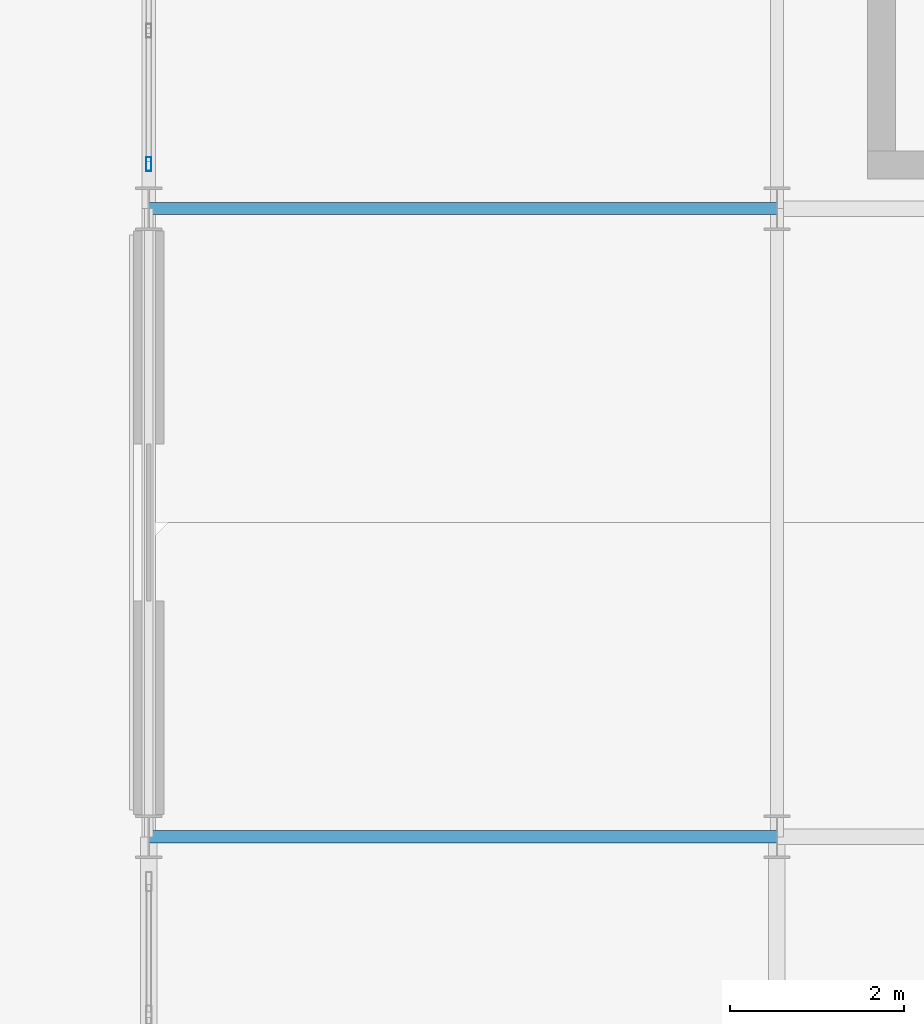
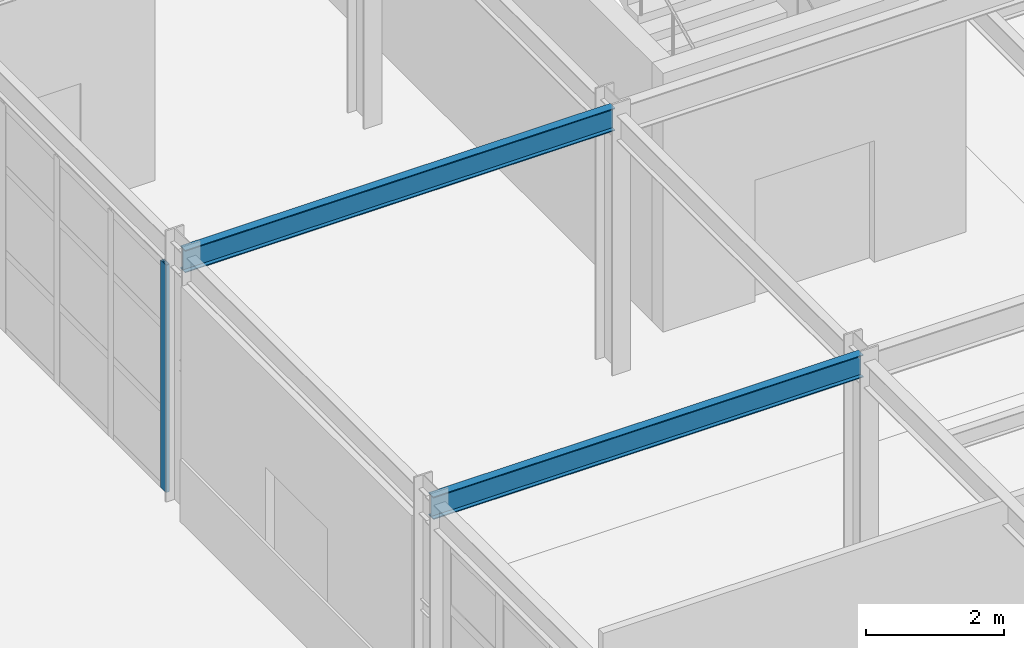
# One storey, part 31 of 83: 2 beams, 1 member, 1 element without a shape of its own.
"""IFC4 building model written with IfcOpenShell, lengths in metres."""

import ifcopenshell
import ifcopenshell.guid

model = None  # the IFC model being written
_history = None  # IfcOwnerHistory: only IFC2X3 demands one
_inside = {}  # id of a spatial element -> (the spatial element, [elements in it])
_under = {}  # id of a project, library or spatial element -> (it, [spatial elements below it])
_declared = {}  # id of a project -> (the project, [libraries it declares])
_typed = {}  # id of a type object -> (the type object, [elements of that type])
_made_of = {}  # id of a material, layer set ... -> (it, [elements and type objects made of it])


def new_model(schema):
    """Start an empty IFC model of exactly this schema.

    Asked for "IFC4X3", IfcOpenShell would pick the latest addendum, in which some entities
    have other attributes; the version numbers below select the first issue.
    IFC2X3 requires an IfcOwnerHistory on every rooted entity: one is made here for all.
    """
    global model, _history
    if schema == "IFC4X3":
        model = ifcopenshell.file(schema_version=(4, 3, 0, 0))
    else:
        model = ifcopenshell.file(schema=schema)
    _inside.clear()
    _under.clear()
    _declared.clear()
    _typed.clear()
    _made_of.clear()
    _history = None
    if model.schema == "IFC2X3":
        org = make("IfcOrganization", Name="unknown")
        user = make(
            "IfcPersonAndOrganization",
            ThePerson=make("IfcPerson", FamilyName="unknown"),
            TheOrganization=org,
        )
        app = make(
            "IfcApplication",
            ApplicationDeveloper=org,
            Version="unknown",
            ApplicationFullName="unknown",
            ApplicationIdentifier="unknown",
        )
        _history = make(
            "IfcOwnerHistory",
            OwningUser=user,
            OwningApplication=app,
            ChangeAction="ADDED",
            CreationDate=0,
        )
    return model


def make(cls, **values):
    """One entity of the class cls with the attributes given. An attribute that is None is left unset."""
    return model.create_entity(
        cls, **{name: value for name, value in values.items() if value is not None}
    )


def rooted(cls, **values):
    """An entity with a GlobalId (a new one), such as an element, a storey or a relation."""
    return make(cls, GlobalId=ifcopenshell.guid.new(), OwnerHistory=_history, **values)


def si_unit(unit_type, name, prefix=None):
    """IfcSIUnit, for example si_unit("LENGTHUNIT", "METRE", prefix="MILLI")."""
    return make("IfcSIUnit", UnitType=unit_type, Prefix=prefix, Name=name)


def assignment(units):
    """IfcUnitAssignment: the units of a project."""
    return None if units is None else make("IfcUnitAssignment", Units=units)


def point(xyz):
    """IfcCartesianPoint."""
    return None if xyz is None else make("IfcCartesianPoint", Coordinates=xyz)


def direction(xyz):
    """IfcDirection."""
    return None if xyz is None else make("IfcDirection", DirectionRatios=xyz)


def frame(location, z_axis=None, x_axis=None):
    """IfcAxis2Placement3D, a coordinate frame: its origin and axes. An axis left out is left unset."""
    return make(
        "IfcAxis2Placement3D",
        Location=point(location),
        Axis=direction(z_axis),
        RefDirection=direction(x_axis),
    )


def frame_2d(location, x_axis=None):
    """IfcAxis2Placement2D, a coordinate frame in the plane: its origin and x axis."""
    return make(
        "IfcAxis2Placement2D", Location=point(location), RefDirection=direction(x_axis)
    )


def origin():
    """The frame at (0, 0, 0) with its axes left unset."""
    return frame((0.0, 0.0, 0.0))


def origin_2d():
    """The frame at (0, 0) in the plane with its x axis left unset."""
    return frame_2d((0.0, 0.0))


def place(relative_to, where):
    """IfcLocalPlacement: puts the frame where relative to a parent placement (None: the world)."""
    return make(
        "IfcLocalPlacement", PlacementRelTo=relative_to, RelativePlacement=where
    )


def context(
    kind, dimensions, precision=None, world=None, true_north=None, identifier=None
):
    """IfcGeometricRepresentationContext, for example the 3D "Model" context."""
    return make(
        "IfcGeometricRepresentationContext",
        ContextIdentifier=identifier,
        ContextType=kind,
        CoordinateSpaceDimension=dimensions,
        Precision=precision,
        WorldCoordinateSystem=world,
        TrueNorth=true_north,
    )


def subcontext(parent, identifier, kind, view, scale=None):
    """IfcGeometricRepresentationSubContext, for example "Body" below "Model"."""
    return make(
        "IfcGeometricRepresentationSubContext",
        ContextIdentifier=identifier,
        ContextType=kind,
        ParentContext=parent,
        TargetScale=scale,
        TargetView=view,
    )


def project(units=None, contexts=None):
    """IfcProject with its units and contexts."""
    return rooted(
        "IfcProject",
        Name="project",
        RepresentationContexts=contexts,
        UnitsInContext=assignment(units),
    )


def spatial(cls, under=None, at=None, **own):
    """A site, building, storey or space (cls), placed at a placement, below another one or the project."""
    s = rooted(cls, ObjectPlacement=at, **own)
    if under is not None:
        _under.setdefault(under.id(), (under, []))[1].append(s)
    return s


def profile(cls, at=None, kind="AREA", **sizes):
    """A parametric profile (cls). Its sizes go by their IFC names, for example OverallWidth=200.0."""
    return make(cls, ProfileType=kind, Position=at, **sizes)


def hollow_rectangle(**sizes):
    """IfcRectangleHollowProfileDef."""
    return profile("IfcRectangleHollowProfileDef", **sizes)


def i_section(**sizes):
    """IfcIShapeProfileDef."""
    return profile("IfcIShapeProfileDef", **sizes)


def extrude(swept, where, along, depth):
    """IfcExtrudedAreaSolid: the profile swept, set in the frame where, extruded along a direction by depth."""
    return make(
        "IfcExtrudedAreaSolid",
        SweptArea=swept,
        Position=where,
        ExtrudedDirection=direction(along),
        Depth=depth,
    )


def shape(context_of_items, identifier, shape_type, items):
    """IfcShapeRepresentation: the items that make up one representation, for example the "Body"."""
    return make(
        "IfcShapeRepresentation",
        ContextOfItems=context_of_items,
        RepresentationIdentifier=identifier,
        RepresentationType=shape_type,
        Items=items,
    )


def material(Name=None, Category=None):
    """IfcMaterial."""
    return make("IfcMaterial", Name=Name, Category=Category)


def layer(
    of_material, thickness, ventilated=None, Name=None, Category=None, Priority=None
):
    """IfcMaterialLayer: one layer of a wall or slab, of a material (None: an air gap)."""
    return make(
        "IfcMaterialLayer",
        Material=of_material,
        LayerThickness=thickness,
        IsVentilated=ventilated,
        Name=Name,
        Category=Category,
        Priority=Priority,
    )


def layer_set(layers, Name=None):
    """IfcMaterialLayerSet."""
    return make("IfcMaterialLayerSet", MaterialLayers=layers, LayerSetName=Name)


def material_profile(
    of_material, cross_section, Name=None, Category=None, Priority=None
):
    """IfcMaterialProfile: a cross section and its material."""
    return make(
        "IfcMaterialProfile",
        Name=Name,
        Material=of_material,
        Profile=cross_section,
        Priority=Priority,
        Category=Category,
    )


def profile_set(profiles, Name=None, composite=None):
    """IfcMaterialProfileSet."""
    return make(
        "IfcMaterialProfileSet",
        Name=Name,
        MaterialProfiles=profiles,
        CompositeProfile=composite,
    )


def made_of(thing, what):
    """Note that an element or type object is made of a material, layer set ...; save() writes the relation."""
    if what is not None:
        _made_of.setdefault(what.id(), (what, []))[1].append(thing)
    return thing


def type_object(cls, material=None, **own):
    """A type object (cls), such as IfcWallType, which elements share."""
    return made_of(rooted(cls, **own), material)


def element(
    cls,
    number,
    at=None,
    inside=None,
    cuts=None,
    type_object=None,
    material=None,
    context=None,
    identifier="Body",
    shape_type=None,
    held_by="IfcProductDefinitionShape",
    body=None,
    shapes=None,
    **own,
):
    """One element of the class cls, such as IfcWall. Its Tag is "e" and its number.

    at: its placement. inside: the storey or other place that contains it. cuts: it is an
    opening in that element (IfcRelVoidsElement). A single representation is given by context,
    identifier, shape_type and body (its items); several are given by shapes. held_by: the class
    of the entity that holds the representations. save() writes the other relations.
    """
    e = rooted(cls, Tag="e%d" % number, ObjectPlacement=at, **own)
    if body is not None:
        shapes = [shape(context, identifier, shape_type, body)]
    if shapes is not None:
        e.Representation = make(held_by, Representations=shapes)
    if inside is not None:
        _inside.setdefault(inside.id(), (inside, []))[1].append(e)
    if cuts is not None:
        rooted(
            "IfcRelVoidsElement", RelatingBuildingElement=cuts, RelatedOpeningElement=e
        )
    if type_object is not None:
        _typed.setdefault(type_object.id(), (type_object, []))[1].append(e)
    return made_of(e, material)


def aggregate(whole, parts):
    """IfcRelAggregates: a whole, such as a stair, and the parts it consists of."""
    return rooted("IfcRelAggregates", RelatingObject=whole, RelatedObjects=parts)


def save(model, path):
    """Write the relations noted so far, then the file.

    IfcRelAggregates (storeys below a building ...), IfcRelContainedInSpatialStructure (elements
    in a storey), IfcRelDefinesByType, IfcRelAssociatesMaterial and IfcRelDeclares: one each for
    every whole, place, type object, material and project.
    """
    for whole, parts in _under.values():
        aggregate(whole, parts)
    for where, things in _inside.values():
        rooted(
            "IfcRelContainedInSpatialStructure",
            RelatedElements=things,
            RelatingStructure=where,
        )
    for kind, things in _typed.values():
        rooted("IfcRelDefinesByType", RelatedObjects=things, RelatingType=kind)
    for what, things in _made_of.values():
        rooted("IfcRelAssociatesMaterial", RelatedObjects=things, RelatingMaterial=what)
    for by, libraries in _declared.values():
        rooted("IfcRelDeclares", RelatingContext=by, RelatedDefinitions=libraries)
    model.write(path)


model = new_model("IFC4")

# Units and contexts
model_context = context("Model", 3, precision=1e-05, world=origin(), true_north=direction((0.0, 1.0)))
body_context = subcontext(model_context, "Body", "Model", "MODEL_VIEW")
ifc_project = project(units=[si_unit("LENGTHUNIT", "METRE"), si_unit("AREAUNIT", "SQUARE_METRE"), si_unit("VOLUMEUNIT", "CUBIC_METRE"), si_unit("PLANEANGLEUNIT", "RADIAN"), si_unit("MASSUNIT", "GRAM", prefix="KILO")], contexts=[model_context])

# Site, building, storey
site_placement = place(None, origin())
site = spatial("IfcSite", under=ifc_project, at=site_placement, CompositionType="ELEMENT")
building_placement = place(site_placement, origin())
building = spatial("IfcBuilding", under=site, at=building_placement, Name="Solvadek Multi-Sports Hall", CompositionType="ELEMENT")
storey_placement = place(building_placement, origin())
storey = spatial("IfcBuildingStorey", under=building, at=storey_placement, Name="L00", CompositionType="ELEMENT", Elevation=0.0)

# Curtain wall, member
ifc_material_1 = material(Name="Anodised aluminium", Category="aluminium")
ifc_layer = layer(ifc_material_1, 0.159912109375, Name="Anodised aluminium")
ifc_layer_set = layer_set([ifc_layer], Name="Anodised aluminium")
curtain_wall_type = type_object("IfcCurtainWallType", Name="ENV-CW-624X403", PredefinedType="USERDEFINED", material=ifc_layer_set)
curtain_wall_placement = place(storey_placement, origin())
curtain_wall = element("IfcCurtainWall", 1, at=curtain_wall_placement, inside=storey, type_object=curtain_wall_type, Name="L00 Perimeter Bay Curtain Wall #200", ObjectType="CURTAIN WALL", PredefinedType="USERDEFINED")
ifc_material_profile_1 = material_profile(ifc_material_1, hollow_rectangle(XDim=0.06005859375, YDim=0.159912109375, WallThickness=0.00390625, at=origin_2d()), Name="ALU-M 160x60x4")
ifc_profile_set_1 = profile_set([ifc_material_profile_1], Name="Anodised aluminium")
member_type = type_object("IfcMemberType", Name="ENV-CWM-01", PredefinedType="MULLION", material=ifc_profile_set_1)
member_placement = place(storey_placement, frame((57.60009765625, 42.510009765625, 0.0), z_axis=(0.0, 0.0, 1.0), x_axis=(-1.0, 0.0, 0.0)))
member = element("IfcMember", 2, at=member_placement, type_object=member_type, Name="CW-43 mullion 1", PredefinedType="MULLION", context=body_context, shape_type="SweptSolid", body=[
    extrude(hollow_rectangle(XDim=0.06005859375, YDim=0.159912109375, WallThickness=0.00390625, at=origin_2d()), origin(), (0.0, 0.0, 1.0), 4.02490234375),
])
aggregate(curtain_wall, [member])

# Beams
ifc_material_2 = material(Name="Steel E350 (350 MPa)", Category="steel")
ifc_material_profile_2 = material_profile(ifc_material_2, i_section(OverallWidth=0.139892578125, OverallDepth=0.39990234375, WebThickness=0.0087890625, FlangeThickness=0.01611328125, at=origin_2d()), Name="ISMB 400")
ifc_profile_set_2 = profile_set([ifc_material_profile_2], Name="Steel E350 (350 MPa)")
beam_type = type_object("IfcBeamType", Name="STR-BM-ISMB400", PredefinedType="BEAM", material=ifc_profile_set_2)
for number, where, z_axis, x_axis, name in (
    (3, (57.60009765625, 34.800048828125, 4.3798828125), (1.0, 0.0, 0.0), (0.0, 1.0, 0.0), "L00 Girder B-10 #577"),
    (4, (57.60009765625, 42.0, 4.3798828125), (1.0, 0.0, 0.0), (0.0, 1.0, 0.0), "L00 Girder B-10 #590"),
):
    element("IfcBeam", number, at=place(storey_placement, frame(where, z_axis=z_axis, x_axis=x_axis)), inside=storey, type_object=beam_type, Name=name, PredefinedType="BEAM", context=body_context, shape_type="SweptSolid", body=[
        extrude(i_section(OverallWidth=0.139892578125, OverallDepth=0.39990234375, WebThickness=0.0087890625, FlangeThickness=0.01611328125, at=origin_2d()), origin(), (0.0, 0.0, 1.0), 7.199951171875),
    ])

save(model, "model.ifc")
